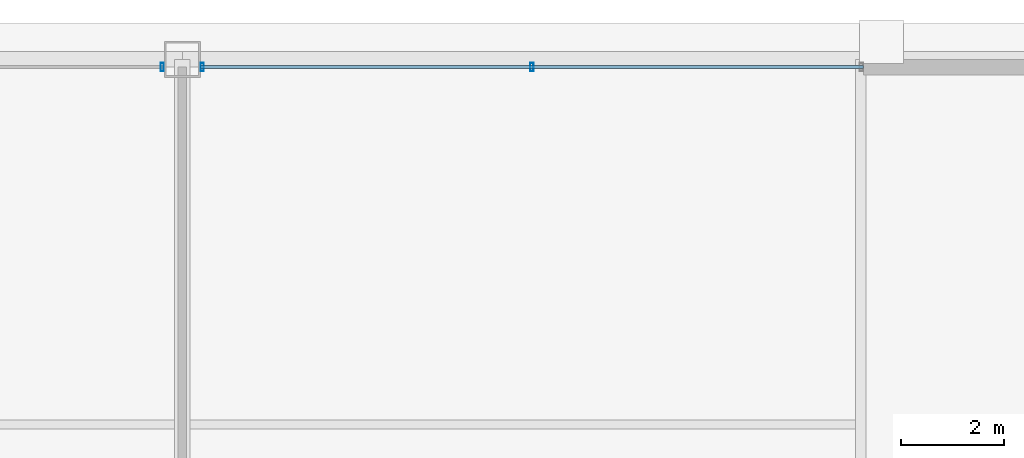
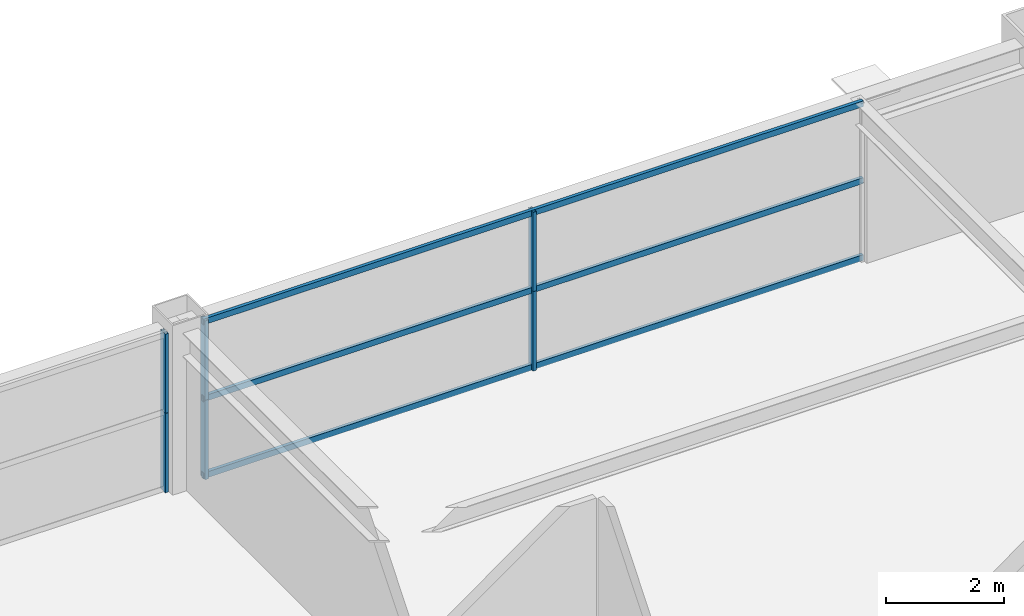
# One storey, part 29 of 37: 9 members, 2 elements without a shape of their own.
"""IFC4 building model written with IfcOpenShell, lengths in metres."""

from ifc_helpers import new_model, si_unit, direction, frame, origin, origin_2d, place, context, subcontext, project, spatial, hollow_rectangle, extrude, source, transform, mapped, material, layer, layer_set, material_profile, profile_set, type_object, element, aggregate, save


model = new_model("IFC4")

# Units and contexts
model_context = context("Model", 3, precision=1e-05, world=origin(), true_north=direction((0.0, 1.0)))
body_context = subcontext(model_context, "Body", "Model", "MODEL_VIEW")
ifc_project = project(units=[si_unit("LENGTHUNIT", "METRE"), si_unit("AREAUNIT", "SQUARE_METRE"), si_unit("VOLUMEUNIT", "CUBIC_METRE"), si_unit("PLANEANGLEUNIT", "RADIAN"), si_unit("MASSUNIT", "GRAM", prefix="KILO"), si_unit("THERMODYNAMICTEMPERATUREUNIT", "KELVIN"), si_unit("POWERUNIT", "WATT")], contexts=[model_context])

# Site, building, storey
site_placement = place(None, origin())
site = spatial("IfcSite", under=ifc_project, at=site_placement, CompositionType="ELEMENT")
building_placement = place(site_placement, origin())
building = spatial("IfcBuilding", under=site, at=building_placement, Name="Yuzanri Waterfront Tower", CompositionType="ELEMENT")
storey_placement = place(building_placement, frame((0.0, 0.0, 268.10009765625)))
storey = spatial("IfcBuildingStorey", under=building, at=storey_placement, Name="L71", CompositionType="ELEMENT", Elevation=268.10009765625)

# Curtain wall, members
ifc_material_1 = material(Name="Anodized Architectural Bronze", Category="metal")
ifc_layer = layer(ifc_material_1, 0.159912109375)
ifc_layer_set = layer_set([ifc_layer], Name="Anodized Architectural Bronze")
curtain_wall_type = type_object("IfcCurtainWallType", Name="Anodized Bronze Mid-Rise Residential Acoustic Unitized Curtain Wall 7200", PredefinedType="NOTDEFINED", material=ifc_layer_set)
curtain_wall_1_placement = place(storey_placement, origin())
curtain_wall_1 = element("IfcCurtainWall", 1, at=curtain_wall_1_placement, inside=storey, type_object=curtain_wall_type, Name="L71 Curtain Wall CW-L71-NL", PredefinedType="NOTDEFINED")
ifc_material_2 = material(Name="Anodized Architectural Bronze", Category="metal")
ifc_material_profile_1 = material_profile(ifc_material_2, hollow_rectangle(XDim=0.06494140625, YDim=0.159912109375, WallThickness=0.00341796875, at=origin_2d()), Name="CWM 65x160")
ifc_profile_set_1 = profile_set([ifc_material_profile_1], Name="Anodized Architectural Bronze")
member_type_1 = type_object("IfcMemberType", Name="Anodized Bronze Upper-Zone Curtain-Wall Mullion 65x160", PredefinedType="MULLION", material=ifc_profile_set_1)
shared_shape_1 = source(origin(), body_context, "Body", "SweptSolid", [
    extrude(hollow_rectangle(XDim=0.06494140625, YDim=0.159912109375, WallThickness=0.00341796875, at=origin_2d()), origin(), (0.0, 0.0, 1.0), 1.637939453125),
])
member_1_placement = place(storey_placement, frame((36.610107421875, 46.25, 0.0), z_axis=(0.0, 0.0, 1.0), x_axis=(1.0, 0.0, 0.0)))
member_1 = element("IfcMember", 2, at=member_1_placement, type_object=member_type_1, Name="CW-L71-NL Lower Mullion 02", PredefinedType="MULLION", context=body_context, shape_type="MappedRepresentation", body=[
    mapped(shared_shape_1, transform((0.0, 0.0, 0.0), scale=1.0)),
])
member_2_placement = place(storey_placement, frame((36.610107421875, 46.25, 1.641845703125), z_axis=(0.0, 0.0, 1.0), x_axis=(1.0, 0.0, 0.0)))
member_2 = element("IfcMember", 3, at=member_2_placement, type_object=member_type_1, Name="CW-L71-NL Upper Mullion 02", PredefinedType="MULLION", context=body_context, shape_type="MappedRepresentation", body=[
    mapped(shared_shape_1, transform((0.0, 0.0, 0.0), scale=1.0)),
])
aggregate(curtain_wall_1, [member_1, member_2])

curtain_wall_2_placement = place(storey_placement, origin())
curtain_wall_2 = element("IfcCurtainWall", 4, at=curtain_wall_2_placement, inside=storey, type_object=curtain_wall_type, Name="L71 Curtain Wall CW-L71-NR", PredefinedType="NOTDEFINED")
member_3_placement = place(storey_placement, frame((37.389892578125, 46.25, 0.0), z_axis=(0.0, 0.0, 1.0), x_axis=(1.0, 0.0, 0.0)))
member_3 = element("IfcMember", 5, at=member_3_placement, type_object=member_type_1, Name="CW-L71-NR Lower Mullion 00", PredefinedType="MULLION", context=body_context, shape_type="MappedRepresentation", body=[
    mapped(shared_shape_1, transform((0.0, 0.0, 0.0), scale=1.0)),
])
member_4_placement = place(storey_placement, frame((37.389892578125, 46.25, 1.641845703125), z_axis=(0.0, 0.0, 1.0), x_axis=(1.0, 0.0, 0.0)))
member_4 = element("IfcMember", 6, at=member_4_placement, type_object=member_type_1, Name="CW-L71-NR Upper Mullion 00", PredefinedType="MULLION", context=body_context, shape_type="MappedRepresentation", body=[
    mapped(shared_shape_1, transform((0.0, 0.0, 0.0), scale=1.0)),
])
member_5_placement = place(storey_placement, frame((43.800048828125, 46.25, 0.0), z_axis=(0.0, 0.0, 1.0), x_axis=(1.0, 0.0, 0.0)))
member_5 = element("IfcMember", 7, at=member_5_placement, type_object=member_type_1, Name="CW-L71-NR Lower Mullion 01", PredefinedType="MULLION", context=body_context, shape_type="MappedRepresentation", body=[
    mapped(shared_shape_1, transform((0.0, 0.0, 0.0), scale=1.0)),
])
member_6_placement = place(storey_placement, frame((43.800048828125, 46.25, 1.641845703125), z_axis=(0.0, 0.0, 1.0), x_axis=(1.0, 0.0, 0.0)))
member_6 = element("IfcMember", 8, at=member_6_placement, type_object=member_type_1, Name="CW-L71-NR Upper Mullion 01", PredefinedType="MULLION", context=body_context, shape_type="MappedRepresentation", body=[
    mapped(shared_shape_1, transform((0.0, 0.0, 0.0), scale=1.0)),
])
ifc_material_3 = material(Name="Anodized Architectural Bronze", Category="metal")
ifc_material_profile_2 = material_profile(ifc_material_3, hollow_rectangle(XDim=0.06494140625, YDim=0.1201171875, WallThickness=0.00341796875, at=origin_2d()), Name="CWT 65x120")
ifc_profile_set_2 = profile_set([ifc_material_profile_2], Name="Anodized Architectural Bronze")
member_type_2 = type_object("IfcMemberType", Name="Anodized Bronze Secondary Curtain-Wall Transom 65x120", PredefinedType="USERDEFINED", material=ifc_profile_set_2)
shared_shape_2 = source(origin(), body_context, "Body", "SweptSolid", [
    extrude(hollow_rectangle(XDim=0.06494140625, YDim=0.1201171875, WallThickness=0.00341796875, at=origin_2d()), origin(), (0.0, 0.0, 1.0), 12.89990234375),
])
member_7_placement = place(storey_placement, frame((37.35009765625, 46.25, 0.0498046875), z_axis=(1.0, 0.0, 0.0), x_axis=(0.0, 1.0, 0.0)))
member_7 = element("IfcMember", 9, at=member_7_placement, type_object=member_type_2, Name="CW-L71-NR Transom 1", ObjectType="TRANSOM", PredefinedType="USERDEFINED", context=body_context, shape_type="MappedRepresentation", body=[
    mapped(shared_shape_2, transform((0.0, 0.0, 0.0), scale=1.0)),
])
member_8_placement = place(storey_placement, frame((37.35009765625, 46.25, 1.639892578125), z_axis=(1.0, 0.0, 0.0), x_axis=(0.0, 1.0, 0.0)))
member_8 = element("IfcMember", 10, at=member_8_placement, type_object=member_type_2, Name="CW-L71-NR Transom 2", ObjectType="TRANSOM", PredefinedType="USERDEFINED", context=body_context, shape_type="MappedRepresentation", body=[
    mapped(shared_shape_2, transform((0.0, 0.0, 0.0), scale=1.0)),
])
member_9_placement = place(storey_placement, frame((37.35009765625, 46.25, 3.22998046875), z_axis=(1.0, 0.0, 0.0), x_axis=(0.0, 1.0, 0.0)))
member_9 = element("IfcMember", 11, at=member_9_placement, type_object=member_type_2, Name="CW-L71-NR Transom 3", ObjectType="TRANSOM", PredefinedType="USERDEFINED", context=body_context, shape_type="MappedRepresentation", body=[
    mapped(shared_shape_2, transform((0.0, 0.0, 0.0), scale=1.0)),
])
aggregate(curtain_wall_2, [member_3, member_4, member_5, member_6, member_7, member_8, member_9])

save(model, "model.ifc")
